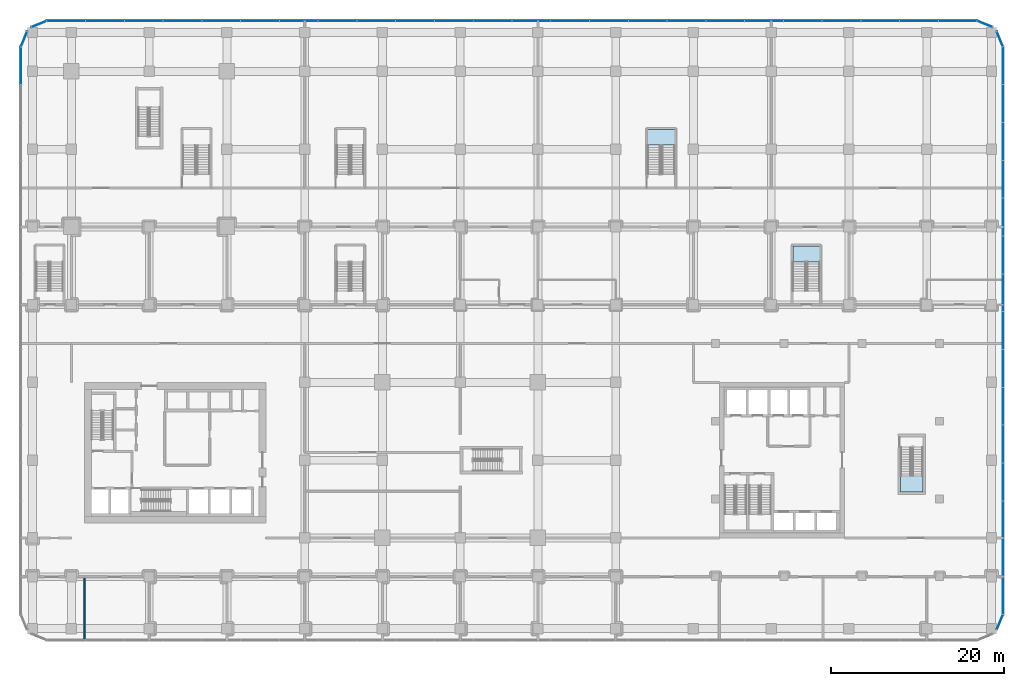
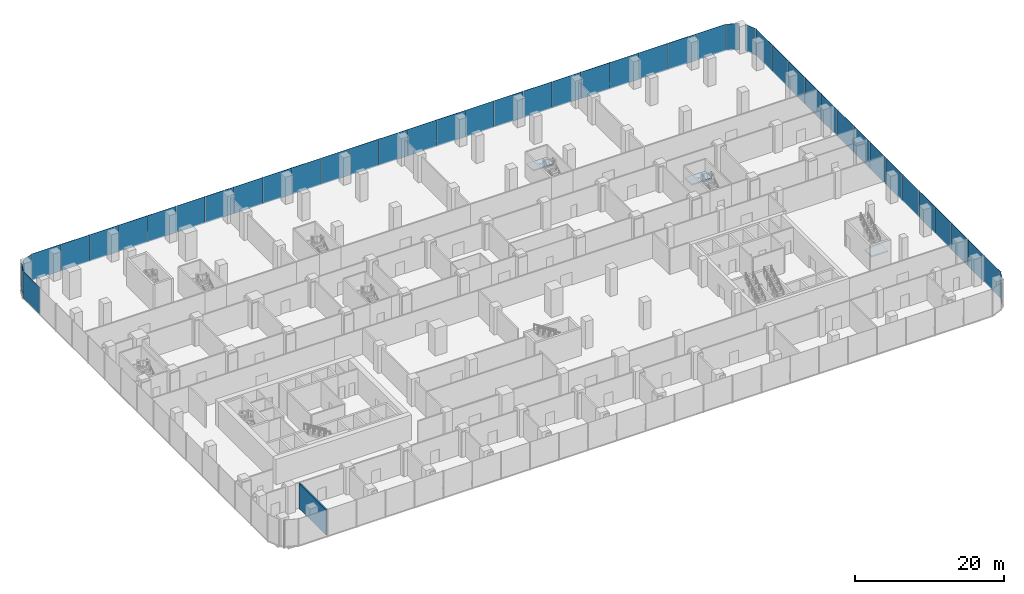
# One storey, part 27 of 43: 45 plates, 3 slabs, 1 wall, 11 elements without a shape of their own.
"""IFC4 building model written with IfcOpenShell, lengths in metres."""

from ifc_helpers import new_model, si_unit, direction, frame, frame_2d, origin, origin_2d, place, context, subcontext, project, spatial, polyline, rectangle, outline, extrude, material, layer, layer_set, type_object, element, aggregate, save


model = new_model("IFC4")

# Units and contexts
model_context = context("Model", 3, precision=1e-05, world=origin(), true_north=direction((0.0, 1.0)))
body_context = subcontext(model_context, "Body", "Model", "MODEL_VIEW")
ifc_project = project(units=[si_unit("LENGTHUNIT", "METRE"), si_unit("AREAUNIT", "SQUARE_METRE"), si_unit("VOLUMEUNIT", "CUBIC_METRE"), si_unit("PLANEANGLEUNIT", "RADIAN"), si_unit("MASSUNIT", "GRAM", prefix="KILO")], contexts=[model_context])

# Site, building, storey
site_placement = place(None, origin())
site = spatial("IfcSite", under=ifc_project, at=site_placement, CompositionType="ELEMENT")
building_placement = place(site_placement, origin())
building = spatial("IfcBuilding", under=site, at=building_placement, Name="Plateau Cross Towers", CompositionType="ELEMENT")
storey_placement = place(building_placement, frame((0.0, 0.0, 17.300048828125)))
storey = spatial("IfcBuildingStorey", under=building, at=storey_placement, Name="L03", CompositionType="ELEMENT", Elevation=17.300048828125)

# Curtain wall, plate
ifc_material_1 = material(Name="Dark low-iron laminated glass", Category="glass")
ifc_layer_1 = layer(ifc_material_1, 0.300048828125)
ifc_layer_set_1 = layer_set([ifc_layer_1], Name="Dark low-iron laminated glass")
curtain_wall_type = type_object("IfcCurtainWallType", Name="Curtain wall structural silicone CW-C", PredefinedType="NOTDEFINED", material=ifc_layer_set_1)
curtain_wall_1_placement = place(storey_placement, origin())
curtain_wall_1 = element("IfcCurtainWall", 1, at=curtain_wall_1_placement, inside=storey, type_object=curtain_wall_type, Name="ENV/P/L03/P1071_-106", PredefinedType="NOTDEFINED")
ifc_layer_2 = layer(ifc_material_1, 0.0439453125)
ifc_layer_set_2 = layer_set([ifc_layer_2], Name="Dark low-iron laminated glass")
plate_type = type_object("IfcPlateType", Name="Glass panel 44 structural silicone", PredefinedType="CURTAIN_PANEL", material=ifc_layer_set_2)
plate_1_placement = place(storey_placement, frame((107.485107421875, -9.731201171875, -0.2001953125), z_axis=(0.0, 0.0, 1.0), x_axis=(0.382683612978, 0.923879457699, 0.0)))
plate_1 = element("IfcPlate", 2, at=plate_1_placement, type_object=plate_type, Name="CW-C panel 1", PredefinedType="CURTAIN_PANEL", context=body_context, shape_type="SweptSolid", body=[
    extrude(rectangle(XDim=1.857666015625, YDim=0.0439453125, at=origin_2d()), origin(), (0.0, 0.0, 1.0), 4.35009765625),
])
aggregate(curtain_wall_1, [plate_1])

# Curtain wall, plates
curtain_wall_2_placement = place(storey_placement, origin())
curtain_wall_2 = element("IfcCurtainWall", 3, at=curtain_wall_2_placement, inside=storey, type_object=curtain_wall_type, Name="ENV/P/L03/P1078_-88", PredefinedType="NOTDEFINED")
plate_2_placement = place(storey_placement, frame((107.85009765625, -6.659912109375, -0.2001953125), z_axis=(0.0, 0.0, 1.0), x_axis=(0.0, 1.0, 0.0)))
plate_2 = element("IfcPlate", 4, at=plate_2_placement, type_object=plate_type, Name="CW-C panel 1", PredefinedType="CURTAIN_PANEL", context=body_context, shape_type="SweptSolid", body=[
    extrude(rectangle(XDim=4.330078125, YDim=0.0439453125, at=origin_2d()), origin(), (0.0, 0.0, 1.0), 4.35009765625),
])
plate_3_placement = place(storey_placement, frame((107.85009765625, -2.280029296875, -0.2001953125), z_axis=(0.0, 0.0, 1.0), x_axis=(0.0, 1.0, 0.0)))
plate_3 = element("IfcPlate", 5, at=plate_3_placement, type_object=plate_type, Name="CW-C panel 2", PredefinedType="CURTAIN_PANEL", context=body_context, shape_type="SweptSolid", body=[
    extrude(rectangle(XDim=4.330078125, YDim=0.0439453125, at=origin_2d()), origin(), (0.0, 0.0, 1.0), 4.35009765625),
])
plate_4_placement = place(storey_placement, frame((107.85009765625, 2.10009765625, -0.2001953125), z_axis=(0.0, 0.0, 1.0), x_axis=(0.0, 1.0, 0.0)))
plate_4 = element("IfcPlate", 6, at=plate_4_placement, type_object=plate_type, Name="CW-C panel 3", PredefinedType="CURTAIN_PANEL", context=body_context, shape_type="SweptSolid", body=[
    extrude(rectangle(XDim=4.330078125, YDim=0.0439453125, at=origin_2d()), origin(), (0.0, 0.0, 1.0), 4.35009765625),
])
plate_5_placement = place(storey_placement, frame((107.85009765625, 6.47998046875, -0.2001953125), z_axis=(0.0, 0.0, 1.0), x_axis=(0.0, 1.0, 0.0)))
plate_5 = element("IfcPlate", 7, at=plate_5_placement, type_object=plate_type, Name="CW-C panel 4", PredefinedType="CURTAIN_PANEL", context=body_context, shape_type="SweptSolid", body=[
    extrude(rectangle(XDim=4.330078125, YDim=0.0439453125, at=origin_2d()), origin(), (0.0, 0.0, 1.0), 4.35009765625),
])
plate_6_placement = place(storey_placement, frame((107.85009765625, 10.860107421875, -0.2001953125), z_axis=(0.0, 0.0, 1.0), x_axis=(0.0, 1.0, 0.0)))
plate_6 = element("IfcPlate", 8, at=plate_6_placement, type_object=plate_type, Name="CW-C panel 5", PredefinedType="CURTAIN_PANEL", context=body_context, shape_type="SweptSolid", body=[
    extrude(rectangle(XDim=4.330078125, YDim=0.0439453125, at=origin_2d()), origin(), (0.0, 0.0, 1.0), 4.35009765625),
])
plate_7_placement = place(storey_placement, frame((107.85009765625, 15.239990234375, -0.2001953125), z_axis=(0.0, 0.0, 1.0), x_axis=(0.0, 1.0, 0.0)))
plate_7 = element("IfcPlate", 9, at=plate_7_placement, type_object=plate_type, Name="CW-C panel 6", PredefinedType="CURTAIN_PANEL", context=body_context, shape_type="SweptSolid", body=[
    extrude(rectangle(XDim=4.330078125, YDim=0.0439453125, at=origin_2d()), origin(), (0.0, 0.0, 1.0), 4.35009765625),
])
plate_8_placement = place(storey_placement, frame((107.85009765625, 19.6201171875, -0.2001953125), z_axis=(0.0, 0.0, 1.0), x_axis=(0.0, 1.0, 0.0)))
plate_8 = element("IfcPlate", 10, at=plate_8_placement, type_object=plate_type, Name="CW-C panel 7", PredefinedType="CURTAIN_PANEL", context=body_context, shape_type="SweptSolid", body=[
    extrude(rectangle(XDim=4.330078125, YDim=0.0439453125, at=origin_2d()), origin(), (0.0, 0.0, 1.0), 4.35009765625),
])
plate_9_placement = place(storey_placement, frame((107.85009765625, 24.0, -0.2001953125), z_axis=(0.0, 0.0, 1.0), x_axis=(0.0, 1.0, 0.0)))
plate_9 = element("IfcPlate", 11, at=plate_9_placement, type_object=plate_type, Name="CW-C panel 8", PredefinedType="CURTAIN_PANEL", context=body_context, shape_type="SweptSolid", body=[
    extrude(rectangle(XDim=4.330078125, YDim=0.0439453125, at=origin_2d()), origin(), (0.0, 0.0, 1.0), 4.35009765625),
])
plate_10_placement = place(storey_placement, frame((107.85009765625, 28.3798828125, -0.2001953125), z_axis=(0.0, 0.0, 1.0), x_axis=(0.0, 1.0, 0.0)))
plate_10 = element("IfcPlate", 12, at=plate_10_placement, type_object=plate_type, Name="CW-C panel 9", PredefinedType="CURTAIN_PANEL", context=body_context, shape_type="SweptSolid", body=[
    extrude(rectangle(XDim=4.330078125, YDim=0.0439453125, at=origin_2d()), origin(), (0.0, 0.0, 1.0), 4.35009765625),
])
plate_11_placement = place(storey_placement, frame((107.85009765625, 32.760009765625, -0.2001953125), z_axis=(0.0, 0.0, 1.0), x_axis=(0.0, 1.0, 0.0)))
plate_11 = element("IfcPlate", 13, at=plate_11_placement, type_object=plate_type, Name="CW-C panel 10", PredefinedType="CURTAIN_PANEL", context=body_context, shape_type="SweptSolid", body=[
    extrude(rectangle(XDim=4.330078125, YDim=0.0439453125, at=origin_2d()), origin(), (0.0, 0.0, 1.0), 4.35009765625),
])
plate_12_placement = place(storey_placement, frame((107.85009765625, 37.139892578125, -0.2001953125), z_axis=(0.0, 0.0, 1.0), x_axis=(0.0, 1.0, 0.0)))
plate_12 = element("IfcPlate", 14, at=plate_12_placement, type_object=plate_type, Name="CW-C panel 11", PredefinedType="CURTAIN_PANEL", context=body_context, shape_type="SweptSolid", body=[
    extrude(rectangle(XDim=4.330078125, YDim=0.0439453125, at=origin_2d()), origin(), (0.0, 0.0, 1.0), 4.35009765625),
])
plate_13_placement = place(storey_placement, frame((107.85009765625, 41.52001953125, -0.2001953125), z_axis=(0.0, 0.0, 1.0), x_axis=(0.0, 1.0, 0.0)))
plate_13 = element("IfcPlate", 15, at=plate_13_placement, type_object=plate_type, Name="CW-C panel 12", PredefinedType="CURTAIN_PANEL", context=body_context, shape_type="SweptSolid", body=[
    extrude(rectangle(XDim=4.330078125, YDim=0.0439453125, at=origin_2d()), origin(), (0.0, 0.0, 1.0), 4.35009765625),
])
plate_14_placement = place(storey_placement, frame((107.85009765625, 45.89990234375, -0.2001953125), z_axis=(0.0, 0.0, 1.0), x_axis=(0.0, 1.0, 0.0)))
plate_14 = element("IfcPlate", 16, at=plate_14_placement, type_object=plate_type, Name="CW-C panel 13", PredefinedType="CURTAIN_PANEL", context=body_context, shape_type="SweptSolid", body=[
    extrude(rectangle(XDim=4.330078125, YDim=0.0439453125, at=origin_2d()), origin(), (0.0, 0.0, 1.0), 4.35009765625),
])
plate_15_placement = place(storey_placement, frame((107.85009765625, 50.280029296875, -0.2001953125), z_axis=(0.0, 0.0, 1.0), x_axis=(0.0, 1.0, 0.0)))
plate_15 = element("IfcPlate", 17, at=plate_15_placement, type_object=plate_type, Name="CW-C panel 14", PredefinedType="CURTAIN_PANEL", context=body_context, shape_type="SweptSolid", body=[
    extrude(rectangle(XDim=4.330078125, YDim=0.0439453125, at=origin_2d()), origin(), (0.0, 0.0, 1.0), 4.35009765625),
])
plate_16_placement = place(storey_placement, frame((107.85009765625, 54.659912109375, -0.2001953125), z_axis=(0.0, 0.0, 1.0), x_axis=(0.0, 1.0, 0.0)))
plate_16 = element("IfcPlate", 18, at=plate_16_placement, type_object=plate_type, Name="CW-C panel 15", PredefinedType="CURTAIN_PANEL", context=body_context, shape_type="SweptSolid", body=[
    extrude(rectangle(XDim=4.330078125, YDim=0.0439453125, at=origin_2d()), origin(), (0.0, 0.0, 1.0), 4.35009765625),
])
aggregate(curtain_wall_2, [plate_2, plate_3, plate_4, plate_5, plate_6, plate_7, plate_8, plate_9, plate_10, plate_11, plate_12, plate_13, plate_14, plate_15, plate_16])

# Curtain wall, plate
curtain_wall_3_placement = place(storey_placement, origin())
curtain_wall_3 = element("IfcCurtainWall", 19, at=curtain_wall_3_placement, inside=storey, type_object=curtain_wall_type, Name="ENV/P/L03/P1078_568", PredefinedType="NOTDEFINED")
plate_17_placement = place(storey_placement, frame((107.485107421875, 57.731201171875, -0.2001953125), z_axis=(0.0, 0.0, 1.0), x_axis=(-0.382683612978, 0.923879457699, 0.0)))
plate_17 = element("IfcPlate", 20, at=plate_17_placement, type_object=plate_type, Name="CW-C panel 1", PredefinedType="CURTAIN_PANEL", context=body_context, shape_type="SweptSolid", body=[
    extrude(rectangle(XDim=1.857666015625, YDim=0.0439453125, at=origin_2d()), origin(), (0.0, 0.0, 1.0), 4.35009765625),
])
aggregate(curtain_wall_3, [plate_17])

curtain_wall_4_placement = place(storey_placement, origin())
curtain_wall_4 = element("IfcCurtainWall", 21, at=curtain_wall_4_placement, inside=storey, type_object=curtain_wall_type, Name="ENV/P/L03/P1066_591", PredefinedType="NOTDEFINED")
plate_18_placement = place(storey_placement, frame((105.731201171875, 59.485107421875, -0.2001953125), z_axis=(0.0, 0.0, 1.0), x_axis=(-0.923879457699, 0.382683612978, 0.0)))
plate_18 = element("IfcPlate", 22, at=plate_18_placement, type_object=plate_type, Name="CW-C panel 1", PredefinedType="CURTAIN_PANEL", context=body_context, shape_type="SweptSolid", body=[
    extrude(rectangle(XDim=1.857666015625, YDim=0.0439453125, at=origin_2d()), origin(), (0.0, 0.0, 1.0), 4.35009765625),
])
aggregate(curtain_wall_4, [plate_18])

# Curtain wall, plates
curtain_wall_5_placement = place(storey_placement, origin())
curtain_wall_5 = element("IfcCurtainWall", 23, at=curtain_wall_5_placement, inside=storey, type_object=curtain_wall_type, Name="ENV/P/L03/P1048_598", PredefinedType="NOTDEFINED")
plate_19_placement = place(storey_placement, frame((102.606201171875, 59.85009765625, -0.2001953125), z_axis=(0.0, 0.0, 1.0), x_axis=(-1.0, 0.0, 0.0)))
plate_19 = element("IfcPlate", 24, at=plate_19_placement, type_object=plate_type, Name="CW-C panel 1", PredefinedType="CURTAIN_PANEL", context=body_context, shape_type="SweptSolid", body=[
    extrude(rectangle(XDim=4.4375, YDim=0.0439453125, at=origin_2d()), origin(), (0.0, 0.0, 1.0), 4.35009765625),
])
plate_20_placement = place(storey_placement, frame((98.11865234375, 59.85009765625, -0.2001953125), z_axis=(0.0, 0.0, 1.0), x_axis=(-1.0, 0.0, 0.0)))
plate_20 = element("IfcPlate", 25, at=plate_20_placement, type_object=plate_type, Name="CW-C panel 2", PredefinedType="CURTAIN_PANEL", context=body_context, shape_type="SweptSolid", body=[
    extrude(rectangle(XDim=4.4375, YDim=0.0439453125, at=origin_2d()), origin(), (0.0, 0.0, 1.0), 4.35009765625),
])
plate_21_placement = place(storey_placement, frame((93.63134765625, 59.85009765625, -0.2001953125), z_axis=(0.0, 0.0, 1.0), x_axis=(-1.0, 0.0, 0.0)))
plate_21 = element("IfcPlate", 26, at=plate_21_placement, type_object=plate_type, Name="CW-C panel 3", PredefinedType="CURTAIN_PANEL", context=body_context, shape_type="SweptSolid", body=[
    extrude(rectangle(XDim=4.4375, YDim=0.0439453125, at=origin_2d()), origin(), (0.0, 0.0, 1.0), 4.35009765625),
])
plate_22_placement = place(storey_placement, frame((89.143798828125, 59.85009765625, -0.2001953125), z_axis=(0.0, 0.0, 1.0), x_axis=(-1.0, 0.0, 0.0)))
plate_22 = element("IfcPlate", 27, at=plate_22_placement, type_object=plate_type, Name="CW-C panel 4", PredefinedType="CURTAIN_PANEL", context=body_context, shape_type="SweptSolid", body=[
    extrude(rectangle(XDim=4.4375, YDim=0.0439453125, at=origin_2d()), origin(), (0.0, 0.0, 1.0), 4.35009765625),
])
plate_23_placement = place(storey_placement, frame((84.65625, 59.85009765625, -0.2001953125), z_axis=(0.0, 0.0, 1.0), x_axis=(-1.0, 0.0, 0.0)))
plate_23 = element("IfcPlate", 28, at=plate_23_placement, type_object=plate_type, Name="CW-C panel 5", PredefinedType="CURTAIN_PANEL", context=body_context, shape_type="SweptSolid", body=[
    extrude(rectangle(XDim=4.4375, YDim=0.0439453125, at=origin_2d()), origin(), (0.0, 0.0, 1.0), 4.35009765625),
])
plate_24_placement = place(storey_placement, frame((80.168701171875, 59.85009765625, -0.2001953125), z_axis=(0.0, 0.0, 1.0), x_axis=(-1.0, 0.0, 0.0)))
plate_24 = element("IfcPlate", 29, at=plate_24_placement, type_object=plate_type, Name="CW-C panel 6", PredefinedType="CURTAIN_PANEL", context=body_context, shape_type="SweptSolid", body=[
    extrude(rectangle(XDim=4.4375, YDim=0.0439453125, at=origin_2d()), origin(), (0.0, 0.0, 1.0), 4.35009765625),
])
plate_25_placement = place(storey_placement, frame((75.68115234375, 59.85009765625, -0.2001953125), z_axis=(0.0, 0.0, 1.0), x_axis=(-1.0, 0.0, 0.0)))
plate_25 = element("IfcPlate", 30, at=plate_25_placement, type_object=plate_type, Name="CW-C panel 7", PredefinedType="CURTAIN_PANEL", context=body_context, shape_type="SweptSolid", body=[
    extrude(rectangle(XDim=4.4375, YDim=0.0439453125, at=origin_2d()), origin(), (0.0, 0.0, 1.0), 4.35009765625),
])
plate_26_placement = place(storey_placement, frame((71.19384765625, 59.85009765625, -0.2001953125), z_axis=(0.0, 0.0, 1.0), x_axis=(-1.0, 0.0, 0.0)))
plate_26 = element("IfcPlate", 31, at=plate_26_placement, type_object=plate_type, Name="CW-C panel 8", PredefinedType="CURTAIN_PANEL", context=body_context, shape_type="SweptSolid", body=[
    extrude(rectangle(XDim=4.4375, YDim=0.0439453125, at=origin_2d()), origin(), (0.0, 0.0, 1.0), 4.35009765625),
])
plate_27_placement = place(storey_placement, frame((66.706298828125, 59.85009765625, -0.2001953125), z_axis=(0.0, 0.0, 1.0), x_axis=(-1.0, 0.0, 0.0)))
plate_27 = element("IfcPlate", 32, at=plate_27_placement, type_object=plate_type, Name="CW-C panel 9", PredefinedType="CURTAIN_PANEL", context=body_context, shape_type="SweptSolid", body=[
    extrude(rectangle(XDim=4.4375, YDim=0.0439453125, at=origin_2d()), origin(), (0.0, 0.0, 1.0), 4.35009765625),
])
plate_28_placement = place(storey_placement, frame((62.21875, 59.85009765625, -0.2001953125), z_axis=(0.0, 0.0, 1.0), x_axis=(-1.0, 0.0, 0.0)))
plate_28 = element("IfcPlate", 33, at=plate_28_placement, type_object=plate_type, Name="CW-C panel 10", PredefinedType="CURTAIN_PANEL", context=body_context, shape_type="SweptSolid", body=[
    extrude(rectangle(XDim=4.4375, YDim=0.0439453125, at=origin_2d()), origin(), (0.0, 0.0, 1.0), 4.35009765625),
])
plate_29_placement = place(storey_placement, frame((57.731201171875, 59.85009765625, -0.2001953125), z_axis=(0.0, 0.0, 1.0), x_axis=(-1.0, 0.0, 0.0)))
plate_29 = element("IfcPlate", 34, at=plate_29_placement, type_object=plate_type, Name="CW-C panel 11", PredefinedType="CURTAIN_PANEL", context=body_context, shape_type="SweptSolid", body=[
    extrude(rectangle(XDim=4.4375, YDim=0.0439453125, at=origin_2d()), origin(), (0.0, 0.0, 1.0), 4.35009765625),
])
plate_30_placement = place(storey_placement, frame((53.24365234375, 59.85009765625, -0.2001953125), z_axis=(0.0, 0.0, 1.0), x_axis=(-1.0, 0.0, 0.0)))
plate_30 = element("IfcPlate", 35, at=plate_30_placement, type_object=plate_type, Name="CW-C panel 12", PredefinedType="CURTAIN_PANEL", context=body_context, shape_type="SweptSolid", body=[
    extrude(rectangle(XDim=4.4375, YDim=0.0439453125, at=origin_2d()), origin(), (0.0, 0.0, 1.0), 4.35009765625),
])
plate_31_placement = place(storey_placement, frame((48.75634765625, 59.85009765625, -0.2001953125), z_axis=(0.0, 0.0, 1.0), x_axis=(-1.0, 0.0, 0.0)))
plate_31 = element("IfcPlate", 36, at=plate_31_placement, type_object=plate_type, Name="CW-C panel 13", PredefinedType="CURTAIN_PANEL", context=body_context, shape_type="SweptSolid", body=[
    extrude(rectangle(XDim=4.4375, YDim=0.0439453125, at=origin_2d()), origin(), (0.0, 0.0, 1.0), 4.35009765625),
])
plate_32_placement = place(storey_placement, frame((44.268798828125, 59.85009765625, -0.2001953125), z_axis=(0.0, 0.0, 1.0), x_axis=(-1.0, 0.0, 0.0)))
plate_32 = element("IfcPlate", 37, at=plate_32_placement, type_object=plate_type, Name="CW-C panel 14", PredefinedType="CURTAIN_PANEL", context=body_context, shape_type="SweptSolid", body=[
    extrude(rectangle(XDim=4.4375, YDim=0.0439453125, at=origin_2d()), origin(), (0.0, 0.0, 1.0), 4.35009765625),
])
plate_33_placement = place(storey_placement, frame((39.78125, 59.85009765625, -0.2001953125), z_axis=(0.0, 0.0, 1.0), x_axis=(-1.0, 0.0, 0.0)))
plate_33 = element("IfcPlate", 38, at=plate_33_placement, type_object=plate_type, Name="CW-C panel 15", PredefinedType="CURTAIN_PANEL", context=body_context, shape_type="SweptSolid", body=[
    extrude(rectangle(XDim=4.4375, YDim=0.0439453125, at=origin_2d()), origin(), (0.0, 0.0, 1.0), 4.35009765625),
])
plate_34_placement = place(storey_placement, frame((35.293701171875, 59.85009765625, -0.2001953125), z_axis=(0.0, 0.0, 1.0), x_axis=(-1.0, 0.0, 0.0)))
plate_34 = element("IfcPlate", 39, at=plate_34_placement, type_object=plate_type, Name="CW-C panel 16", PredefinedType="CURTAIN_PANEL", context=body_context, shape_type="SweptSolid", body=[
    extrude(rectangle(XDim=4.4375, YDim=0.0439453125, at=origin_2d()), origin(), (0.0, 0.0, 1.0), 4.35009765625),
])
plate_35_placement = place(storey_placement, frame((30.80615234375, 59.85009765625, -0.2001953125), z_axis=(0.0, 0.0, 1.0), x_axis=(-1.0, 0.0, 0.0)))
plate_35 = element("IfcPlate", 40, at=plate_35_placement, type_object=plate_type, Name="CW-C panel 17", PredefinedType="CURTAIN_PANEL", context=body_context, shape_type="SweptSolid", body=[
    extrude(rectangle(XDim=4.4375, YDim=0.0439453125, at=origin_2d()), origin(), (0.0, 0.0, 1.0), 4.35009765625),
])
plate_36_placement = place(storey_placement, frame((26.31884765625, 59.85009765625, -0.2001953125), z_axis=(0.0, 0.0, 1.0), x_axis=(-1.0, 0.0, 0.0)))
plate_36 = element("IfcPlate", 41, at=plate_36_placement, type_object=plate_type, Name="CW-C panel 18", PredefinedType="CURTAIN_PANEL", context=body_context, shape_type="SweptSolid", body=[
    extrude(rectangle(XDim=4.4375, YDim=0.0439453125, at=origin_2d()), origin(), (0.0, 0.0, 1.0), 4.35009765625),
])
plate_37_placement = place(storey_placement, frame((21.831298828125, 59.85009765625, -0.2001953125), z_axis=(0.0, 0.0, 1.0), x_axis=(-1.0, 0.0, 0.0)))
plate_37 = element("IfcPlate", 42, at=plate_37_placement, type_object=plate_type, Name="CW-C panel 19", PredefinedType="CURTAIN_PANEL", context=body_context, shape_type="SweptSolid", body=[
    extrude(rectangle(XDim=4.4375, YDim=0.0439453125, at=origin_2d()), origin(), (0.0, 0.0, 1.0), 4.35009765625),
])
plate_38_placement = place(storey_placement, frame((17.34375, 59.85009765625, -0.2001953125), z_axis=(0.0, 0.0, 1.0), x_axis=(-1.0, 0.0, 0.0)))
plate_38 = element("IfcPlate", 43, at=plate_38_placement, type_object=plate_type, Name="CW-C panel 20", PredefinedType="CURTAIN_PANEL", context=body_context, shape_type="SweptSolid", body=[
    extrude(rectangle(XDim=4.4375, YDim=0.0439453125, at=origin_2d()), origin(), (0.0, 0.0, 1.0), 4.35009765625),
])
plate_39_placement = place(storey_placement, frame((12.856201171875, 59.85009765625, -0.2001953125), z_axis=(0.0, 0.0, 1.0), x_axis=(-1.0, 0.0, 0.0)))
plate_39 = element("IfcPlate", 44, at=plate_39_placement, type_object=plate_type, Name="CW-C panel 21", PredefinedType="CURTAIN_PANEL", context=body_context, shape_type="SweptSolid", body=[
    extrude(rectangle(XDim=4.4375, YDim=0.0439453125, at=origin_2d()), origin(), (0.0, 0.0, 1.0), 4.35009765625),
])
plate_40_placement = place(storey_placement, frame((8.36865234375, 59.85009765625, -0.2001953125), z_axis=(0.0, 0.0, 1.0), x_axis=(-1.0, 0.0, 0.0)))
plate_40 = element("IfcPlate", 45, at=plate_40_placement, type_object=plate_type, Name="CW-C panel 22", PredefinedType="CURTAIN_PANEL", context=body_context, shape_type="SweptSolid", body=[
    extrude(rectangle(XDim=4.4375, YDim=0.0439453125, at=origin_2d()), origin(), (0.0, 0.0, 1.0), 4.35009765625),
])
plate_41_placement = place(storey_placement, frame((3.88134765625, 59.85009765625, -0.2001953125), z_axis=(0.0, 0.0, 1.0), x_axis=(-1.0, 0.0, 0.0)))
plate_41 = element("IfcPlate", 46, at=plate_41_placement, type_object=plate_type, Name="CW-C panel 23", PredefinedType="CURTAIN_PANEL", context=body_context, shape_type="SweptSolid", body=[
    extrude(rectangle(XDim=4.4375, YDim=0.0439453125, at=origin_2d()), origin(), (0.0, 0.0, 1.0), 4.35009765625),
])
plate_42_placement = place(storey_placement, frame((-0.606201171875, 59.85009765625, -0.2001953125), z_axis=(0.0, 0.0, 1.0), x_axis=(-1.0, 0.0, 0.0)))
plate_42 = element("IfcPlate", 47, at=plate_42_placement, type_object=plate_type, Name="CW-C panel 24", PredefinedType="CURTAIN_PANEL", context=body_context, shape_type="SweptSolid", body=[
    extrude(rectangle(XDim=4.4375, YDim=0.0439453125, at=origin_2d()), origin(), (0.0, 0.0, 1.0), 4.35009765625),
])
aggregate(curtain_wall_5, [plate_19, plate_20, plate_21, plate_22, plate_23, plate_24, plate_25, plate_26, plate_27, plate_28, plate_29, plate_30, plate_31, plate_32, plate_33, plate_34, plate_35, plate_36, plate_37, plate_38, plate_39, plate_40, plate_41, plate_42])

# Curtain wall, plate
curtain_wall_6_placement = place(storey_placement, origin())
curtain_wall_6 = element("IfcCurtainWall", 48, at=curtain_wall_6_placement, inside=storey, type_object=curtain_wall_type, Name="ENV/P/L03/P-28_598", PredefinedType="NOTDEFINED")
plate_43_placement = place(storey_placement, frame((-3.731201171875, 59.485107421875, -0.2001953125), z_axis=(0.0, 0.0, 1.0), x_axis=(-0.923879457699, -0.382683612978, 0.0)))
plate_43 = element("IfcPlate", 49, at=plate_43_placement, type_object=plate_type, Name="CW-C panel 1", PredefinedType="CURTAIN_PANEL", context=body_context, shape_type="SweptSolid", body=[
    extrude(rectangle(XDim=1.857666015625, YDim=0.0439453125, at=origin_2d()), origin(), (0.0, 0.0, 1.0), 4.35009765625),
])
aggregate(curtain_wall_6, [plate_43])

curtain_wall_7_placement = place(storey_placement, origin())
curtain_wall_7 = element("IfcCurtainWall", 50, at=curtain_wall_7_placement, inside=storey, type_object=curtain_wall_type, Name="ENV/P/L03/P-51_586", PredefinedType="NOTDEFINED")
plate_44_placement = place(storey_placement, frame((-5.485107421875, 57.731201171875, -0.2001953125), z_axis=(0.0, 0.0, 1.0), x_axis=(-0.382683612978, -0.923879457699, 0.0)))
plate_44 = element("IfcPlate", 51, at=plate_44_placement, type_object=plate_type, Name="CW-C panel 1", PredefinedType="CURTAIN_PANEL", context=body_context, shape_type="SweptSolid", body=[
    extrude(rectangle(XDim=1.857666015625, YDim=0.0439453125, at=origin_2d()), origin(), (0.0, 0.0, 1.0), 4.35009765625),
])
aggregate(curtain_wall_7, [plate_44])

curtain_wall_8_placement = place(storey_placement, origin())
curtain_wall_8 = element("IfcCurtainWall", 52, at=curtain_wall_8_placement, inside=storey, type_object=curtain_wall_type, Name="ENV/P/L03/P-58_568", PredefinedType="NOTDEFINED")
plate_45_placement = place(storey_placement, frame((-5.85009765625, 54.659912109375, -0.2001953125), z_axis=(0.0, 0.0, 1.0), x_axis=(0.0, -1.0, 0.0)))
plate_45 = element("IfcPlate", 53, at=plate_45_placement, type_object=plate_type, Name="CW-C panel 1", PredefinedType="CURTAIN_PANEL", context=body_context, shape_type="SweptSolid", body=[
    extrude(rectangle(XDim=4.330078125, YDim=0.0439453125, at=origin_2d()), origin(), (0.0, 0.0, 1.0), 4.35009765625),
])
aggregate(curtain_wall_8, [plate_45])

# Stair, slab
ifc_material_2 = material(Name="Concrete C40/50", Category="concrete")
stair_type_1 = type_object("IfcStairType", Name="ST-TWR", PredefinedType="HALF_TURN_STAIR", material=ifc_material_2)
stair_1_placement = place(storey_placement, origin())
stair_1 = element("IfcStair", 54, at=stair_1_placement, inside=storey, type_object=stair_type_1, Name="L03 Protected Exit Stair SB-3", PredefinedType="HALF_TURN_STAIR")
ifc_layer_3 = layer(ifc_material_2, 0.199951171875)
ifc_layer_set_3 = layer_set([ifc_layer_3], Name="Concrete C40/50")
slab_type = type_object("IfcSlabType", Name="SL-LANDING", PredefinedType="LANDING", material=ifc_layer_set_3)
slab_1_placement = place(storey_placement, frame((0.0, 0.0, 2.050048828125)))
slab_1 = element("IfcSlab", 55, at=slab_1_placement, type_object=slab_type, Name="SB-3 landing 1", PredefinedType="LANDING", context=body_context, shape_type="SweptSolid", body=[
    extrude(outline(polyline([(96.0, 7.139892578125), (96.0, 5.300048828125), (98.550048828125, 5.300048828125), (98.550048828125, 7.139892578125), (96.0, 7.139892578125)])), origin(), (0.0, 0.0, 1.0), 0.199951171875),
])
aggregate(stair_1, [slab_1])

stair_type_2 = type_object("IfcStairType", Name="Podium exit stair 1500", PredefinedType="HALF_TURN_STAIR", material=ifc_material_2)
stair_2_placement = place(storey_placement, origin())
stair_2 = element("IfcStair", 56, at=stair_2_placement, inside=storey, type_object=stair_type_2, Name="L03 Exit Stair 3", PredefinedType="HALF_TURN_STAIR")
slab_2_placement = place(storey_placement, frame((0.0, 0.0, 2.050048828125)))
slab_2 = element("IfcSlab", 57, at=slab_2_placement, type_object=slab_type, Name="PS3 landing 1", PredefinedType="LANDING", context=body_context, shape_type="SweptSolid", body=[
    extrude(outline(polyline([(69.85009765625, 45.4599609375), (69.85009765625, 47.300048828125), (66.699951171875, 47.300048828125), (66.699951171875, 45.4599609375), (69.85009765625, 45.4599609375)])), origin(), (0.0, 0.0, 1.0), 0.199951171875),
])
aggregate(stair_2, [slab_2])

stair_3_placement = place(storey_placement, origin())
stair_3 = element("IfcStair", 58, at=stair_3_placement, inside=storey, type_object=stair_type_2, Name="L03 Exit Stair 5", PredefinedType="HALF_TURN_STAIR")
slab_3_placement = place(storey_placement, frame((0.0, 0.0, 2.050048828125)))
slab_3 = element("IfcSlab", 59, at=slab_3_placement, type_object=slab_type, Name="PS5 landing 1", PredefinedType="LANDING", context=body_context, shape_type="SweptSolid", body=[
    extrude(outline(polyline([(86.64990234375, 31.9599609375), (86.64990234375, 33.800048828125), (83.5, 33.800048828125), (83.5, 31.9599609375), (86.64990234375, 31.9599609375)])), origin(), (0.0, 0.0, 1.0), 0.199951171875),
])
aggregate(stair_3, [slab_3])

# Wall
ifc_material_3 = material(Name="Gypsum board on steel studs", Category="steel")
ifc_layer_4 = layer(ifc_material_3, 0.199951171875)
ifc_layer_set_4 = layer_set([ifc_layer_4], Name="Gypsum board on steel studs")
wall_type = type_object("IfcWallType", Name="Podium partition 200", PredefinedType="PARTITIONING", material=ifc_layer_set_4)
wall_placement = place(storey_placement, frame((1.5, -4.60009765625, 0.0), z_axis=(0.0, 0.0, 1.0), x_axis=(0.0, -1.0, 0.0)))
element("IfcWall", 60, at=wall_placement, inside=storey, type_object=wall_type, Name="Partition wall", PredefinedType="PARTITIONING", context=body_context, shape_type="SweptSolid", body=[
    extrude(rectangle(XDim=7.25, YDim=0.199951171875, at=frame_2d((3.625, 0.0))), origin(), (0.0, 0.0, 1.0), 4.14990234375),
])

save(model, "model.ifc")
